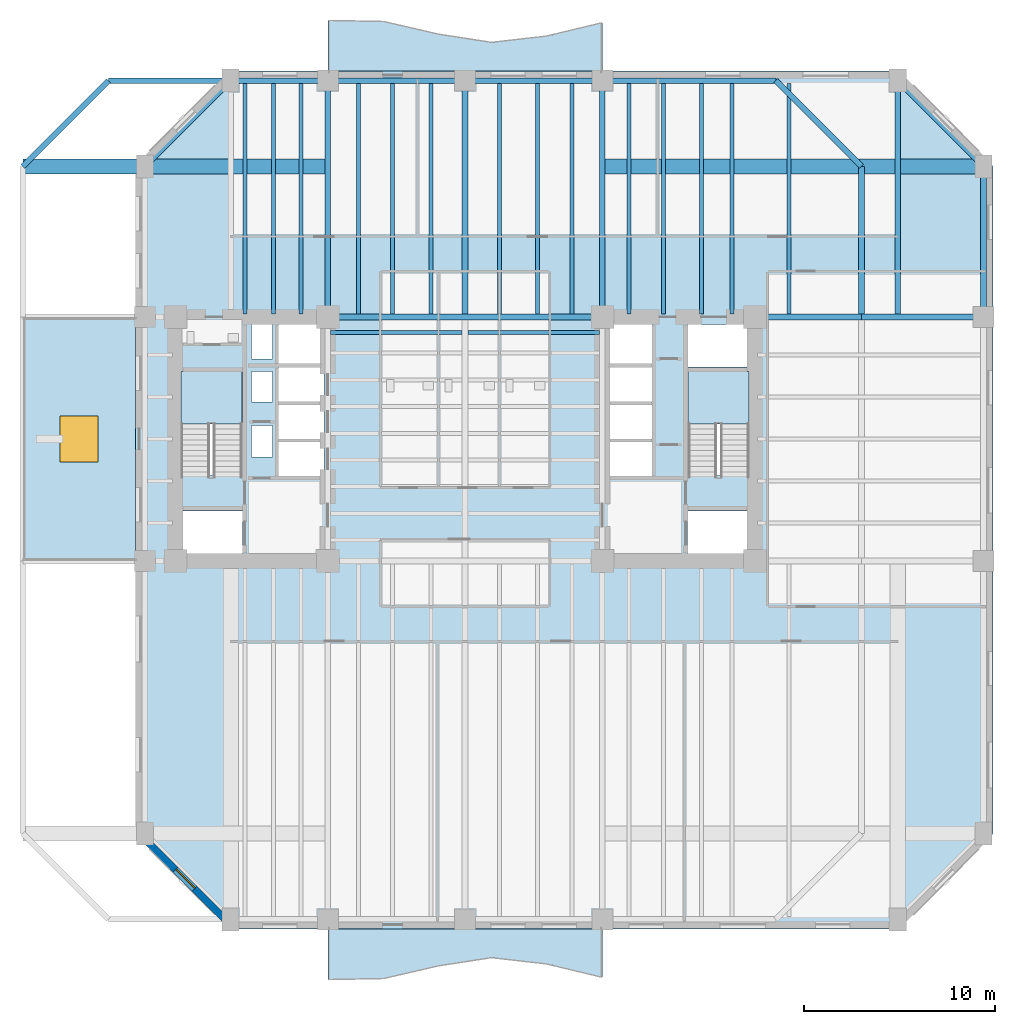
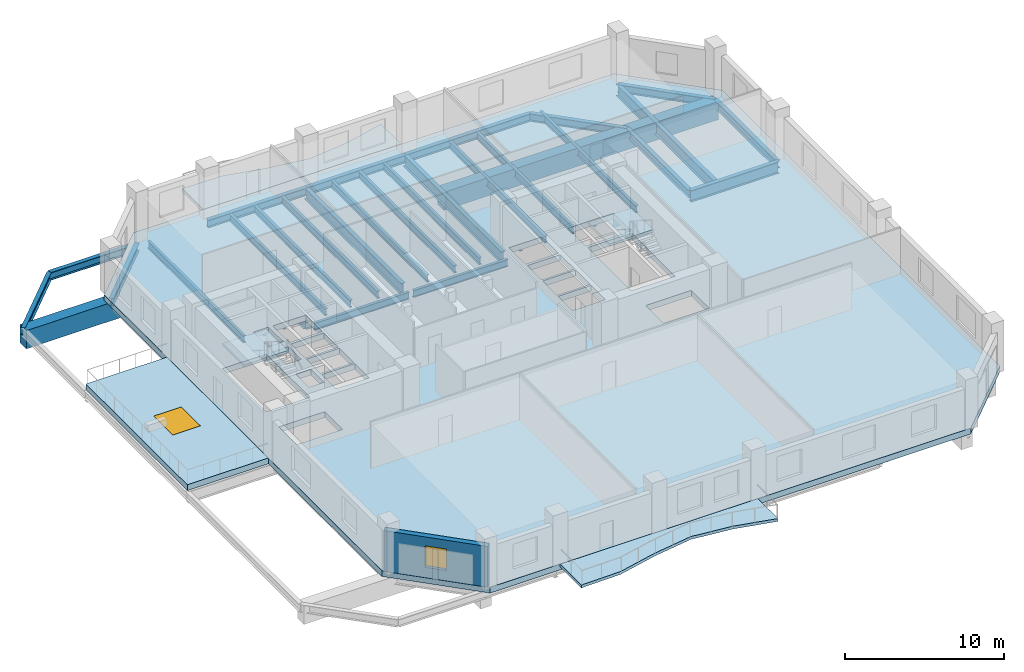
# One storey, part 2 of 11: 35 beams, 6 slabs, 2 windows, 1 wall, 2 openings, 2 elements without a shape of their own.
"""IFC4 building model written with IfcOpenShell, lengths in metres."""

from ifc_helpers import new_model, si_unit, direction, frame, frame_2d, origin, origin_2d, place, context, subcontext, project, spatial, polyline, rectangle, i_section, outline, extrude, material, layer, layer_set, material_profile, profile_set, type_object, element, fill, aggregate, save


model = new_model("IFC4")

# Units and contexts
model_context = context("Model", 3, precision=1e-05, world=origin(), true_north=direction((0.0, 1.0)))
body_context = subcontext(model_context, "Body", "Model", "MODEL_VIEW")
ifc_project = project(units=[si_unit("LENGTHUNIT", "METRE"), si_unit("AREAUNIT", "SQUARE_METRE"), si_unit("VOLUMEUNIT", "CUBIC_METRE"), si_unit("PLANEANGLEUNIT", "RADIAN"), si_unit("MASSUNIT", "GRAM", prefix="KILO")], contexts=[model_context])

# Site, building, storey
site_placement = place(None, origin())
site = spatial("IfcSite", under=ifc_project, at=site_placement, CompositionType="ELEMENT")
building_placement = place(site_placement, origin())
building = spatial("IfcBuilding", under=site, at=building_placement, Name="Kranthara Brick Stack", CompositionType="ELEMENT")
storey_placement = place(building_placement, frame((0.0, 0.0, 47.699951171875)))
storey = spatial("IfcBuildingStorey", under=building, at=storey_placement, Name="L11", CompositionType="ELEMENT", Elevation=47.699951171875)

# Beams
ifc_material_1 = material(Name="Steel S355", Category="steel")
ifc_material_profile_1 = material_profile(ifc_material_1, i_section(OverallWidth=0.2099609375, OverallDepth=0.550048828125, WebThickness=0.010986328125, FlangeThickness=0.01708984375, at=origin_2d()), Name="IPE 550")
ifc_profile_set_1 = profile_set([ifc_material_profile_1], Name="Steel S355")
beam_type_1 = type_object("IfcBeamType", Name="BM-JST-IPE550", PredefinedType="JOIST", material=ifc_profile_set_1)
for number, where, z_axis, x_axis, name in (
    (1, (20.949951171875, 32.800048828125, -0.724853515625), (1.0, 0.0, 0.0), (0.0, 1.0, 0.0), "L11 Central Floor Joist 070"),
    (2, (28.14990234375, 32.800048828125, -0.724853515625), (1.0, 0.0, 0.0), (0.0, 1.0, 0.0), "L11 Central Floor Joist 071"),
):
    element("IfcBeam", number, at=place(storey_placement, frame(where, z_axis=z_axis, x_axis=x_axis)), inside=storey, type_object=beam_type_1, Name=name, PredefinedType="JOIST", context=body_context, shape_type="SweptSolid", body=[
        extrude(i_section(OverallWidth=0.2099609375, OverallDepth=0.550048828125, WebThickness=0.010986328125, FlangeThickness=0.01708984375, at=origin_2d()), origin(), (0.0, 0.0, 1.0), 6.900146484375),
    ])
for number, where, z_axis, x_axis, name in (
    (3, (16.449951171875, 33.75, -0.724853515625), (0.0, 1.0, 0.0), (-1.0, 0.0, 0.0), "L11 North Wing Floor Joist 073"),
    (4, (17.949951171875, 33.75, -0.724853515625), (0.0, 1.0, 0.0), (-1.0, 0.0, 0.0), "L11 North Wing Floor Joist 075"),
    (5, (19.39990234375, 33.75, -0.724853515625), (0.0, 1.0, 0.0), (-1.0, 0.0, 0.0), "L11 North Wing Floor Joist 077"),
    (6, (22.39990234375, 33.75, -0.724853515625), (0.0, 1.0, 0.0), (-1.0, 0.0, 0.0), "L11 North Wing Floor Joist 079"),
    (7, (24.199951171875, 33.75, -0.724853515625), (0.0, 1.0, 0.0), (-1.0, 0.0, 0.0), "L11 North Wing Floor Joist 081"),
    (8, (26.199951171875, 33.75, -0.724853515625), (0.0, 1.0, 0.0), (-1.0, 0.0, 0.0), "L11 North Wing Floor Joist 083"),
    (9, (29.800048828125, 33.75, -0.724853515625), (0.0, 1.0, 0.0), (-1.0, 0.0, 0.0), "L11 North Wing Floor Joist 085"),
    (10, (31.800048828125, 33.75, -0.724853515625), (0.0, 1.0, 0.0), (-1.0, 0.0, 0.0), "L11 North Wing Floor Joist 087"),
    (11, (33.60009765625, 33.75, -0.724853515625), (0.0, 1.0, 0.0), (-1.0, 0.0, 0.0), "L11 North Wing Floor Joist 089"),
    (12, (36.60009765625, 33.75, -0.724853515625), (0.0, 1.0, 0.0), (-1.0, 0.0, 0.0), "L11 North Wing Floor Joist 091"),
    (13, (38.39990234375, 33.75, -0.724853515625), (0.0, 1.0, 0.0), (-1.0, 0.0, 0.0), "L11 North Wing Floor Joist 093"),
    (14, (40.39990234375, 33.75, -0.724853515625), (0.0, 1.0, 0.0), (-1.0, 0.0, 0.0), "L11 North Wing Floor Joist 095"),
    (15, (42.0, 33.75, -0.724853515625), (0.0, 1.0, 0.0), (-1.0, 0.0, 0.0), "L11 North Wing Floor Joist 097"),
    (16, (45.0, 33.75, -0.724853515625), (0.0, 1.0, 0.0), (-1.0, 0.0, 0.0), "L11 North Wing Floor Joist 099"),
):
    element("IfcBeam", number, at=place(storey_placement, frame(where, z_axis=z_axis, x_axis=x_axis)), inside=storey, type_object=beam_type_1, Name=name, PredefinedType="JOIST", context=body_context, shape_type="SweptSolid", body=[
        extrude(i_section(OverallWidth=0.2099609375, OverallDepth=0.550048828125, WebThickness=0.010986328125, FlangeThickness=0.01708984375, at=origin_2d()), origin(), (0.0, 0.0, 1.0), 12.10009765625),
    ])
ifc_material_2 = material(Name="Steel S355", Category="steel")
ifc_material_profile_2 = material_profile(ifc_material_2, i_section(OverallWidth=0.300048828125, OverallDepth=0.60009765625, WebThickness=0.015380859375, FlangeThickness=0.030029296875, at=origin_2d()), Name="HEB 600")
ifc_profile_set_2 = profile_set([ifc_material_profile_2], Name="Steel S355")
beam_type_2 = type_object("IfcBeamType", Name="BM-STL-HEB600", PredefinedType="BEAM", material=ifc_profile_set_2)
beam_1_placement = place(storey_placement, frame((9.300048828125, 46.0, -0.75), z_axis=(1.0, 0.0, 0.0), x_axis=(0.0, 1.0, 0.0)))
element("IfcBeam", 17, at=beam_1_placement, inside=storey, type_object=beam_type_2, Name="L11 Perimeter Spandrel Beam 009", PredefinedType="BEAM", context=body_context, shape_type="SweptSolid", body=[
    extrude(i_section(OverallWidth=0.300048828125, OverallDepth=0.60009765625, WebThickness=0.015380859375, FlangeThickness=0.030029296875, at=origin_2d()), origin(), (0.0, 0.0, 1.0), 11.5),
])
for number, where, z_axis, x_axis, name in (
    (18, (20.800048828125, 46.0, -0.75), (1.0, 0.0, 0.0), (0.0, 1.0, 0.0), "L11 Perimeter Spandrel Beam 010"),
    (19, (28.0, 46.0, -0.75), (1.0, 0.0, 0.0), (0.0, 1.0, 0.0), "L11 Perimeter Spandrel Beam 011"),
):
    element("IfcBeam", number, at=place(storey_placement, frame(where, z_axis=z_axis, x_axis=x_axis)), inside=storey, type_object=beam_type_2, Name=name, PredefinedType="BEAM", context=body_context, shape_type="SweptSolid", body=[
        extrude(i_section(OverallWidth=0.300048828125, OverallDepth=0.60009765625, WebThickness=0.015380859375, FlangeThickness=0.030029296875, at=origin_2d()), origin(), (0.0, 0.0, 1.0), 7.199951171875),
    ])
beam_2_placement = place(storey_placement, frame((35.199951171875, 46.0, -0.75), z_axis=(1.0, 0.0, 0.0), x_axis=(0.0, 1.0, 0.0)))
element("IfcBeam", 20, at=beam_2_placement, inside=storey, type_object=beam_type_2, Name="L11 Perimeter Spandrel Beam 012", PredefinedType="BEAM", context=body_context, shape_type="SweptSolid", body=[
    extrude(i_section(OverallWidth=0.300048828125, OverallDepth=0.60009765625, WebThickness=0.015380859375, FlangeThickness=0.030029296875, at=origin_2d()), origin(), (0.0, 0.0, 1.0), 9.10009765625),
])
beam_3_placement = place(storey_placement, frame((48.800048828125, 33.60009765625, -0.75), z_axis=(0.0, 1.0, 0.0), x_axis=(-1.0, 0.0, 0.0)))
element("IfcBeam", 21, at=beam_3_placement, inside=storey, type_object=beam_type_2, Name="L11 Perimeter Spandrel Beam 018", PredefinedType="BEAM", context=body_context, shape_type="SweptSolid", body=[
    extrude(i_section(OverallWidth=0.300048828125, OverallDepth=0.60009765625, WebThickness=0.015380859375, FlangeThickness=0.030029296875, at=origin_2d()), origin(), (0.0, 0.0, 1.0), 7.89990234375),
])
for number, where, z_axis, x_axis, name in (
    (22, (9.300048828125, 46.0, -0.75), (-0.707106781187, -0.707106781187, 0.0), (0.707106781187, -0.707106781187, 0.0), "L11 Chamfer Corner Spandrel 021"),
    (23, (44.300048828125, 46.0, -0.75), (0.707106781187, -0.707106781187, 0.0), (0.707106781187, 0.707106781187, 0.0), "L11 Chamfer Corner Spandrel 022"),
):
    element("IfcBeam", number, at=place(storey_placement, frame(where, z_axis=z_axis, x_axis=x_axis)), inside=storey, type_object=beam_type_2, Name=name, PredefinedType="BEAM", context=body_context, shape_type="SweptSolid", body=[
        extrude(i_section(OverallWidth=0.300048828125, OverallDepth=0.60009765625, WebThickness=0.015380859375, FlangeThickness=0.030029296875, at=origin_2d()), origin(), (0.0, 0.0, 1.0), 6.364013671875),
    ])
beam_4_placement = place(storey_placement, frame((55.199951171875, 33.60009765625, -0.75), z_axis=(0.0, 1.0, 0.0), x_axis=(-1.0, 0.0, 0.0)))
element("IfcBeam", 24, at=beam_4_placement, inside=storey, type_object=beam_type_2, Name="L11 Perimeter Spandrel Beam 028", PredefinedType="BEAM", context=body_context, shape_type="SweptSolid", body=[
    extrude(i_section(OverallWidth=0.300048828125, OverallDepth=0.60009765625, WebThickness=0.015380859375, FlangeThickness=0.030029296875, at=origin_2d()), origin(), (0.0, 0.0, 1.0), 7.89990234375),
])
for number, where, z_axis, x_axis, name in (
    (25, (15.699951171875, 46.0, -0.75), (-0.707106781187, -0.707106781187, 0.0), (0.707106781187, -0.707106781187, 0.0), "L11 Chamfer Corner Spandrel 031"),
    (26, (50.699951171875, 46.0, -0.75), (0.707106781187, -0.707106781187, 0.0), (0.707106781187, 0.707106781187, 0.0), "L11 Chamfer Corner Spandrel 032"),
):
    element("IfcBeam", number, at=place(storey_placement, frame(where, z_axis=z_axis, x_axis=x_axis)), inside=storey, type_object=beam_type_2, Name=name, PredefinedType="BEAM", context=body_context, shape_type="SweptSolid", body=[
        extrude(i_section(OverallWidth=0.300048828125, OverallDepth=0.60009765625, WebThickness=0.015380859375, FlangeThickness=0.030029296875, at=origin_2d()), origin(), (0.0, 0.0, 1.0), 6.364013671875),
    ])
ifc_material_3 = material(Name="Steel S460", Category="steel")
ifc_material_profile_3 = material_profile(ifc_material_3, i_section(OverallWidth=0.300048828125, OverallDepth=0.89990234375, WebThickness=0.0185546875, FlangeThickness=0.034912109375, at=origin_2d()), Name="HEB 900")
ifc_profile_set_3 = profile_set([ifc_material_profile_3], Name="Steel S460")
beam_type_3 = type_object("IfcBeamType", Name="BM-TR-HEB900", PredefinedType="BEAM", material=ifc_profile_set_3)
beam_5_placement = place(storey_placement, frame((20.800048828125, 33.60009765625, -0.89990234375), z_axis=(1.0, 0.0, 0.0), x_axis=(0.0, 1.0, 0.0)))
element("IfcBeam", 27, at=beam_5_placement, inside=storey, type_object=beam_type_3, Name="L11 Core Coupling Beam 002", PredefinedType="BEAM", context=body_context, shape_type="SweptSolid", body=[
    extrude(i_section(OverallWidth=0.300048828125, OverallDepth=0.89990234375, WebThickness=0.0185546875, FlangeThickness=0.034912109375, at=origin_2d()), origin(), (0.0, 0.0, 1.0), 14.39990234375),
])
beam_6_placement = place(storey_placement, frame((20.800048828125, 33.60009765625, -0.89990234375), z_axis=(0.0, 1.0, 0.0), x_axis=(-1.0, 0.0, 0.0)))
element("IfcBeam", 28, at=beam_6_placement, inside=storey, type_object=beam_type_3, Name="L11 Primary Grid Girder 034", PredefinedType="BEAM", context=body_context, shape_type="SweptSolid", body=[
    extrude(i_section(OverallWidth=0.300048828125, OverallDepth=0.89990234375, WebThickness=0.0185546875, FlangeThickness=0.034912109375, at=origin_2d()), origin(), (0.0, 0.0, 1.0), 12.39990234375),
])
beam_7_placement = place(storey_placement, frame((28.0, 33.75, -0.89990234375), z_axis=(0.0, 1.0, 0.0), x_axis=(-1.0, 0.0, 0.0)))
element("IfcBeam", 29, at=beam_7_placement, inside=storey, type_object=beam_type_3, Name="L11 Primary Grid Girder 037", PredefinedType="BEAM", context=body_context, shape_type="SweptSolid", body=[
    extrude(i_section(OverallWidth=0.300048828125, OverallDepth=0.89990234375, WebThickness=0.0185546875, FlangeThickness=0.034912109375, at=origin_2d()), origin(), (0.0, 0.0, 1.0), 12.25),
])
beam_8_placement = place(storey_placement, frame((35.199951171875, 33.60009765625, -0.89990234375), z_axis=(0.0, 1.0, 0.0), x_axis=(-1.0, 0.0, 0.0)))
element("IfcBeam", 30, at=beam_8_placement, inside=storey, type_object=beam_type_3, Name="L11 Primary Grid Girder 039", PredefinedType="BEAM", context=body_context, shape_type="SweptSolid", body=[
    extrude(i_section(OverallWidth=0.300048828125, OverallDepth=0.89990234375, WebThickness=0.0185546875, FlangeThickness=0.034912109375, at=origin_2d()), origin(), (0.0, 0.0, 1.0), 12.39990234375),
])
beam_9_placement = place(storey_placement, frame((43.199951171875, 33.60009765625, -0.89990234375), z_axis=(1.0, 0.0, 0.0), x_axis=(0.0, 1.0, 0.0)))
element("IfcBeam", 31, at=beam_9_placement, inside=storey, type_object=beam_type_3, Name="L11 Primary Grid Girder 044", PredefinedType="BEAM", context=body_context, shape_type="SweptSolid", body=[
    extrude(i_section(OverallWidth=0.300048828125, OverallDepth=0.89990234375, WebThickness=0.0185546875, FlangeThickness=0.034912109375, at=origin_2d()), origin(), (0.0, 0.0, 1.0), 5.60009765625),
])
beam_10_placement = place(storey_placement, frame((48.800048828125, 33.60009765625, -0.89990234375), z_axis=(1.0, 0.0, 0.0), x_axis=(0.0, 1.0, 0.0)))
element("IfcBeam", 32, at=beam_10_placement, inside=storey, type_object=beam_type_3, Name="L11 Primary Grid Girder 045", PredefinedType="BEAM", context=body_context, shape_type="SweptSolid", body=[
    extrude(i_section(OverallWidth=0.300048828125, OverallDepth=0.89990234375, WebThickness=0.0185546875, FlangeThickness=0.034912109375, at=origin_2d()), origin(), (0.0, 0.0, 1.0), 6.39990234375),
])
beam_11_placement = place(storey_placement, frame((50.699951171875, 46.0, -0.89990234375), z_axis=(0.0, -1.0, 0.0), x_axis=(1.0, 0.0, 0.0)))
element("IfcBeam", 33, at=beam_11_placement, inside=storey, type_object=beam_type_3, Name="L11 Transfer Tie Girder 049", PredefinedType="BEAM", context=body_context, shape_type="SweptSolid", body=[
    extrude(i_section(OverallWidth=0.300048828125, OverallDepth=0.89990234375, WebThickness=0.0185546875, FlangeThickness=0.034912109375, at=origin_2d()), origin(), (0.0, 0.0, 1.0), 12.39990234375),
])
ifc_material_4 = material(Name="Post-tensioned concrete C50/60", Category="concrete")
ifc_material_profile_4 = material_profile(ifc_material_4, rectangle(XDim=0.800048828125, YDim=1.39990234375, at=origin_2d()), Name="PT 800x1400")
ifc_profile_set_4 = profile_set([ifc_material_profile_4], Name="Post-tensioned concrete C50/60")
beam_type_4 = type_object("IfcBeamType", Name="BM-TR-PT1400", PredefinedType="T_BEAM", material=ifc_profile_set_4)
beam_12_placement = place(storey_placement, frame((4.800048828125, 41.5, -1.14990234375), z_axis=(1.0, 0.0, 0.0), x_axis=(0.0, 1.0, 0.0)))
element("IfcBeam", 34, at=beam_12_placement, inside=storey, type_object=beam_type_4, Name="L11 Transfer Tie Girder 052", PredefinedType="T_BEAM", context=body_context, shape_type="SweptSolid", body=[
    extrude(rectangle(XDim=0.800048828125, YDim=1.39990234375, at=origin_2d()), origin(), (0.0, 0.0, 1.0), 16.0),
])
beam_13_placement = place(storey_placement, frame((55.199951171875, 41.5, -1.14990234375), z_axis=(-1.0, 0.0, 0.0), x_axis=(0.0, -1.0, 0.0)))
element("IfcBeam", 35, at=beam_13_placement, inside=storey, type_object=beam_type_4, Name="L11 Transfer Tie Girder 053", PredefinedType="T_BEAM", context=body_context, shape_type="SweptSolid", body=[
    extrude(rectangle(XDim=0.800048828125, YDim=1.39990234375, at=origin_2d()), origin(), (0.0, 0.0, 1.0), 20.0),
])

# Slabs
ifc_material_5 = material(Name="Concrete C45/55", Category="concrete")
ifc_layer_1 = layer(ifc_material_5, 0.219970703125)
ifc_layer_set_1 = layer_set([ifc_layer_1], Name="Concrete C45/55")
slab_type_1 = type_object("IfcSlabType", Name="SLB-BALC-220", PredefinedType="FLOOR", material=ifc_layer_set_1)
slab_1_placement = place(storey_placement, frame((0.0, 0.0, -0.219970703125)))
element("IfcSlab", 36, at=slab_1_placement, inside=storey, type_object=slab_type_1, Name="L11 South Rippling Balcony Slab", PredefinedType="FLOOR", context=body_context, shape_type="SweptSolid", body=[
    extrude(outline(polyline([(20.800048828125, 1.5), (35.199951171875, 1.5), (35.199951171875, -1.035400390625), (32.320068359375, -0.33984375), (29.43994140625, -0.002685546875), (26.56005859375, -0.4482421875), (23.679931640625, -1.1162109375), (20.800048828125, -1.166259765625), (20.800048828125, 1.5)])), origin(), (0.0, 0.0, 1.0), 0.219970703125),
])
slab_2_placement = place(storey_placement, frame((0.0, 0.0, -0.219970703125)))
element("IfcSlab", 37, at=slab_2_placement, inside=storey, type_object=slab_type_1, Name="L11 North Rippling Balcony Slab", PredefinedType="FLOOR", context=body_context, shape_type="SweptSolid", body=[
    extrude(outline(polyline([(35.199951171875, 46.5), (20.800048828125, 46.5), (20.800048828125, 49.166259765625), (23.679931640625, 49.1162109375), (26.56005859375, 48.4482421875), (29.43994140625, 48.002685546875), (32.320068359375, 48.33984375), (35.199951171875, 49.035400390625), (35.199951171875, 46.5)])), origin(), (0.0, 0.0, 1.0), 0.219970703125),
])

# Stair, slab
ifc_material_6 = material(Name="Concrete C45/55", Category="concrete")
stair_type = type_object("IfcStairType", Name="ST-CORE-22R", PredefinedType="HALF_TURN_STAIR", material=ifc_material_6)
stair_1_placement = place(storey_placement, origin())
stair_1 = element("IfcStair", 38, at=stair_1_placement, inside=storey, type_object=stair_type, Name="L11 West Core Protected Exit Stair ST01", PredefinedType="HALF_TURN_STAIR")
ifc_material_7 = material(Name="Concrete C45/55", Category="concrete")
ifc_layer_2 = layer(ifc_material_7, 0.199951171875)
ifc_layer_set_2 = layer_set([ifc_layer_2], Name="Concrete C45/55")
slab_type_2 = type_object("IfcSlabType", Name="SLB-LANDING-200", PredefinedType="LANDING", material=ifc_layer_set_2)
slab_3_placement = place(storey_placement, frame((0.0, 0.0, 1.75)))
slab_3 = element("IfcSlab", 39, at=slab_3_placement, type_object=slab_type_2, Name="ST01 landing 1", PredefinedType="LANDING", context=body_context, shape_type="SweptSolid", body=[
    extrude(outline(polyline([(16.300048828125, 28.0), (16.300048828125, 30.75), (13.10009765625, 30.75), (13.10009765625, 28.0), (16.300048828125, 28.0)])), origin(), (0.0, 0.0, 1.0), 0.199951171875),
])
aggregate(stair_1, [slab_3])

stair_2_placement = place(storey_placement, origin())
stair_2 = element("IfcStair", 40, at=stair_2_placement, inside=storey, type_object=stair_type, Name="L11 East Core Protected Exit Stair ST02", PredefinedType="HALF_TURN_STAIR")
slab_4_placement = place(storey_placement, frame((0.0, 0.0, 1.75)))
slab_4 = element("IfcSlab", 41, at=slab_4_placement, type_object=slab_type_2, Name="ST02 landing 1", PredefinedType="LANDING", context=body_context, shape_type="SweptSolid", body=[
    extrude(outline(polyline([(42.89990234375, 28.0), (42.89990234375, 30.75), (39.699951171875, 30.75), (39.699951171875, 28.0), (42.89990234375, 28.0)])), origin(), (0.0, 0.0, 1.0), 0.199951171875),
])
aggregate(stair_2, [slab_4])

# Slab, opening, window
ifc_material_8 = material(Name="Concrete C45/55", Category="concrete")
ifc_layer_3 = layer(ifc_material_8, 0.449951171875)
ifc_layer_set_3 = layer_set([ifc_layer_3], Name="Concrete C45/55")
slab_type_3 = type_object("IfcSlabType", Name="SLB-TERR-450", PredefinedType="ROOF", material=ifc_layer_set_3)
slab_5_placement = place(storey_placement, frame((0.0, 0.0, -0.449951171875)))
slab_5 = element("IfcSlab", 42, at=slab_5_placement, inside=storey, type_object=slab_type_3, Name="L11 West Planted Sky Garden", PredefinedType="ROOF", context=body_context, shape_type="SweptSolid", body=[
    extrude(outline(polyline([(4.800048828125, 20.800048828125), (10.699951171875, 20.800048828125), (10.699951171875, 33.60009765625), (4.800048828125, 33.60009765625), (4.800048828125, 20.800048828125)]), holes=[polyline([(6.75, 26.0), (8.75, 26.0), (8.75, 28.39990234375), (6.75, 28.39990234375), (6.75, 26.0)])]), origin(), (0.0, 0.0, 1.0), 0.449951171875),
])
opening_1_placement = place(slab_5_placement, frame((7.75, 27.199951171875, 0.0)))
opening_1 = element("IfcOpeningElement", 43, at=opening_1_placement, cuts=slab_5, Name="Opening WN12", PredefinedType="OPENING", context=body_context, shape_type="SweptSolid", body=[
    extrude(rectangle(XDim=2.0, YDim=2.39990234375, at=origin_2d()), origin(), (0.0, 0.0, 1.0), 0.449951171875),
])
ifc_material_9 = material(Name="Double-glazed low-E solar control glass", Category="glass")
window_type_1 = type_object("IfcWindowType", Name="WN-SKY-2000x2400", PartitioningType="SINGLE_PANEL", PredefinedType="SKYLIGHT", material=ifc_material_9)
window_1_placement = place(opening_1_placement, frame((0.0, 0.0, 0.39990234375)))
window_1 = element("IfcWindow", 44, at=window_1_placement, inside=storey, type_object=window_type_1, Name="L11 Terrace Roof Skylight 03", OverallHeight=2.39990234375, OverallWidth=2.0, PartitioningType="SINGLE_PANEL", PredefinedType="SKYLIGHT", context=body_context, shape_type="SweptSolid", body=[
    extrude(rectangle(XDim=2.0, YDim=2.39990234375, at=origin_2d()), origin(), (0.0, 0.0, 1.0), 0.050048828125),
])
fill(opening_1, window_1)

# Slab
ifc_material_10 = material(Name="Post-tensioned concrete C50/60", Category="concrete")
ifc_layer_4 = layer(ifc_material_10, 0.449951171875)
ifc_layer_set_4 = layer_set([ifc_layer_4], Name="Post-tensioned concrete C50/60")
slab_type_4 = type_object("IfcSlabType", Name="SLB-TRANS-450", PredefinedType="FLOOR", material=ifc_layer_set_4)
slab_6_placement = place(storey_placement, frame((0.0, 0.0, -0.449951171875)))
element("IfcSlab", 45, at=slab_6_placement, inside=storey, type_object=slab_type_4, Name="L11 Structural Floor Plate", PredefinedType="FLOOR", context=body_context, shape_type="SweptSolid", body=[
    extrude(outline(polyline([(15.699951171875, 1.5), (50.699951171875, 1.5), (55.699951171875, 6.5), (55.699951171875, 41.5), (50.699951171875, 46.5), (15.699951171875, 46.5), (10.699951171875, 41.5), (10.699951171875, 6.5), (15.699951171875, 1.5)]), holes=[polyline([(13.10009765625, 25.280029296875), (16.300048828125, 25.280029296875), (16.300048828125, 30.75), (13.10009765625, 30.75), (13.10009765625, 25.280029296875)]), polyline([(39.699951171875, 25.280029296875), (42.89990234375, 25.280029296875), (42.89990234375, 30.75), (39.699951171875, 30.75), (39.699951171875, 25.280029296875)]), polyline([(13.0, 21.179931640625), (16.320068359375, 21.179931640625), (16.320068359375, 23.419921875), (13.0, 23.419921875), (13.0, 21.179931640625)]), polyline([(39.679931640625, 21.179931640625), (43.0, 21.179931640625), (43.0, 23.419921875), (39.679931640625, 23.419921875), (39.679931640625, 21.179931640625)]), polyline([(39.679931640625, 30.97998046875), (43.0, 30.97998046875), (43.0, 33.219970703125), (39.679931640625, 33.219970703125), (39.679931640625, 30.97998046875)]), polyline([(18.199951171875, 25.25), (20.60009765625, 25.25), (20.60009765625, 27.050048828125), (18.199951171875, 27.050048828125), (18.199951171875, 25.25)]), polyline([(18.199951171875, 27.199951171875), (20.60009765625, 27.199951171875), (20.60009765625, 29.0), (18.199951171875, 29.0), (18.199951171875, 27.199951171875)]), polyline([(18.199951171875, 29.14990234375), (20.60009765625, 29.14990234375), (20.60009765625, 30.949951171875), (18.199951171875, 30.949951171875), (18.199951171875, 29.14990234375)]), polyline([(35.39990234375, 25.25), (37.800048828125, 25.25), (37.800048828125, 27.050048828125), (35.39990234375, 27.050048828125), (35.39990234375, 25.25)]), polyline([(35.39990234375, 27.199951171875), (37.800048828125, 27.199951171875), (37.800048828125, 29.0), (35.39990234375, 29.0), (35.39990234375, 27.199951171875)]), polyline([(35.39990234375, 29.14990234375), (37.800048828125, 29.14990234375), (37.800048828125, 30.949951171875), (35.39990234375, 30.949951171875), (35.39990234375, 29.14990234375)]), polyline([(18.199951171875, 31.14990234375), (20.60009765625, 31.14990234375), (20.60009765625, 33.219970703125), (18.199951171875, 33.219970703125), (18.199951171875, 31.14990234375)]), polyline([(35.39990234375, 31.14990234375), (37.800048828125, 31.14990234375), (37.800048828125, 33.219970703125), (35.39990234375, 33.219970703125), (35.39990234375, 31.14990234375)]), polyline([(16.800048828125, 26.25), (17.89990234375, 26.25), (17.89990234375, 27.89990234375), (16.800048828125, 27.89990234375), (16.800048828125, 26.25)]), polyline([(16.800048828125, 29.14990234375), (17.89990234375, 29.14990234375), (17.89990234375, 30.75), (16.800048828125, 30.75), (16.800048828125, 29.14990234375)]), polyline([(16.800048828125, 31.39990234375), (17.89990234375, 31.39990234375), (17.89990234375, 33.25), (16.800048828125, 33.25), (16.800048828125, 31.39990234375)])]), origin(), (0.0, 0.0, 1.0), 0.449951171875),
])

# Wall, opening, window
ifc_material_11 = material(Name="Kiln-fired clay brick masonry M15", Category="masonry")
ifc_layer_5 = layer(ifc_material_11, 0.3798828125)
ifc_layer_set_5 = layer_set([ifc_layer_5], Name="Kiln-fired clay brick masonry M15")
wall_type = type_object("IfcWallType", Name="WL-BRK-PIER-380", PredefinedType="STANDARD", material=ifc_layer_set_5)
wall_placement = place(storey_placement, frame((15.699951171875, 1.7099609375, 0.0), z_axis=(0.0, 0.0, 1.0), x_axis=(-0.707106781187, 0.707106781187, 0.0)))
wall = element("IfcWall", 46, at=wall_placement, inside=storey, type_object=wall_type, Name="L11 Exterior Brick Facade Wall SW 1", PredefinedType="STANDARD", context=body_context, shape_type="SweptSolid", body=[
    extrude(rectangle(XDim=6.774169921875, YDim=0.3798828125, at=frame_2d((3.38720703125, 0.0))), origin(), (0.0, 0.0, 1.0), 3.135009765625),
])
opening_2_placement = place(wall_placement, frame((2.68701171875, 0.0, 0.800048828125)))
opening_2 = element("IfcOpeningElement", 47, at=opening_2_placement, cuts=wall, Name="Opening WN10", PredefinedType="OPENING", context=body_context, shape_type="SweptSolid", body=[
    extrude(rectangle(XDim=1.39990234375, YDim=1.64990234375, at=frame_2d((0.699951171875, 0.824951171875))), frame((0.0, 0.199951171875, 0.0), z_axis=(0.0, -1.0, 0.0), x_axis=(1.0, 0.0, 0.0)), (0.0, 0.0, 1.0), 0.39990234375),
])
ifc_material_12 = material(Name="Double-glazed low-E solar control glass", Category="glass")
window_type_2 = type_object("IfcWindowType", Name="WN-CHM-1400x1750", PartitioningType="SINGLE_PANEL", PredefinedType="WINDOW", material=ifc_material_12)
window_2_placement = place(opening_2_placement, origin())
window_2 = element("IfcWindow", 48, at=window_2_placement, inside=storey, type_object=window_type_2, Name="L11 SW Chamfer Corner Window", OverallHeight=1.64990234375, OverallWidth=1.39990234375, PartitioningType="SINGLE_PANEL", PredefinedType="WINDOW", context=body_context, shape_type="SweptSolid", body=[
    extrude(rectangle(XDim=1.39990234375, YDim=1.64990234375, at=frame_2d((0.699951171875, 0.824951171875))), frame((0.0, -0.010009765625, 0.0), z_axis=(0.0, -1.0, 0.0), x_axis=(1.0, 0.0, 0.0)), (0.0, 0.0, 1.0), 0.06005859375),
])
fill(opening_2, window_2)

save(model, "model.ifc")
